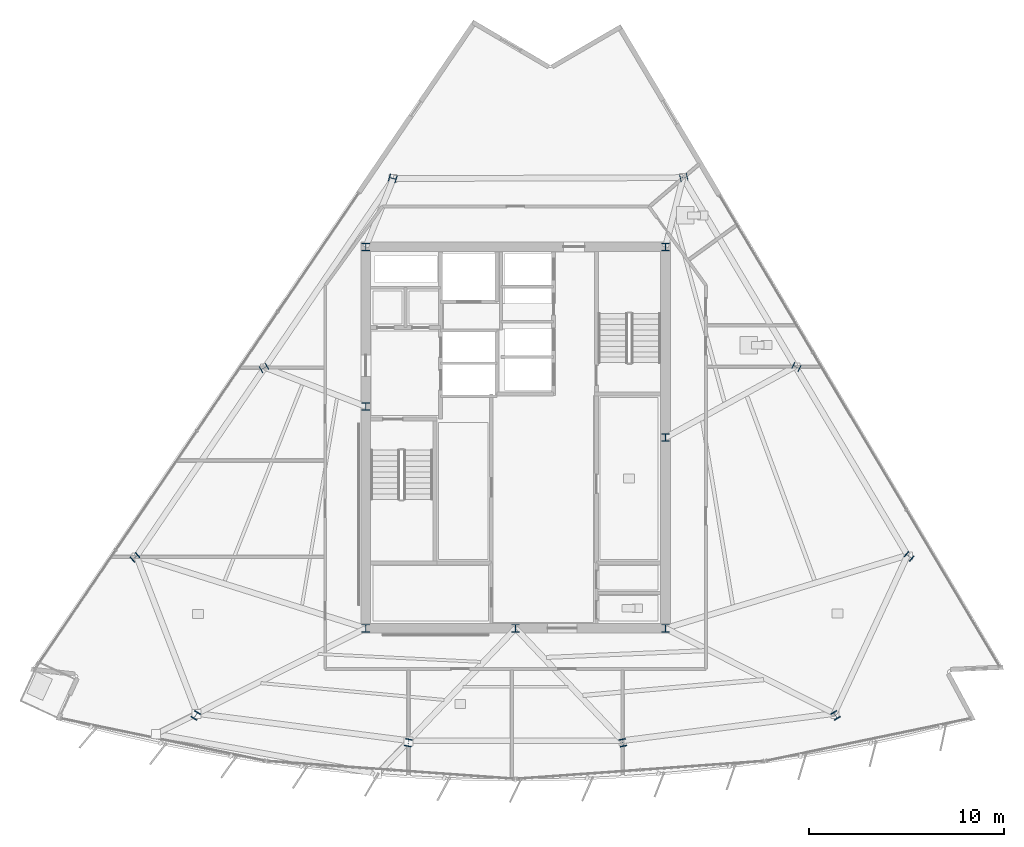
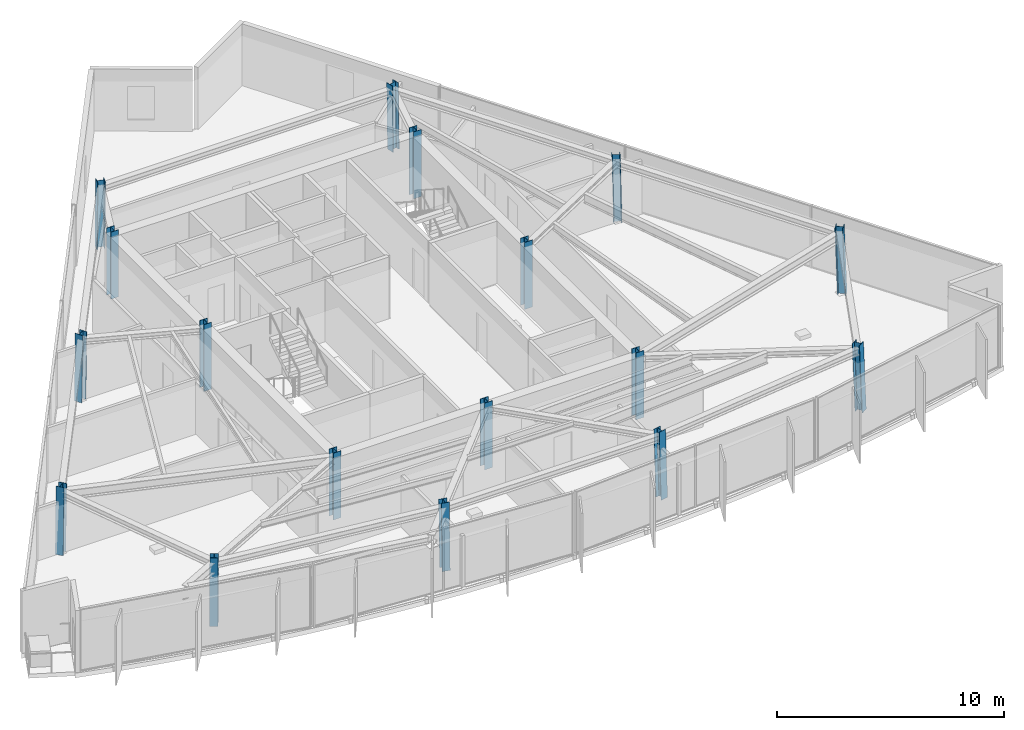
# One storey, part 1 of 13: 17 columns.
"""IFC4 building model written with IfcOpenShell, lengths in metres."""

from ifc_helpers import new_model, si_unit, direction, frame, origin, origin_2d, place, context, subcontext, project, spatial, i_section, extrude, material, material_profile, profile_set, type_object, element, save


model = new_model("IFC4")

# Units and contexts
model_context = context("Model", 3, precision=1e-05, world=origin(), true_north=direction((0.0, 1.0)))
body_context = subcontext(model_context, "Body", "Model", "MODEL_VIEW")
ifc_project = project(units=[si_unit("LENGTHUNIT", "METRE"), si_unit("AREAUNIT", "SQUARE_METRE"), si_unit("VOLUMEUNIT", "CUBIC_METRE"), si_unit("PLANEANGLEUNIT", "RADIAN"), si_unit("MASSUNIT", "GRAM", prefix="KILO")], contexts=[model_context])

# Site, building, storey
site_placement = place(None, origin())
site = spatial("IfcSite", under=ifc_project, at=site_placement, CompositionType="ELEMENT")
building_placement = place(site_placement, origin())
building = spatial("IfcBuilding", under=site, at=building_placement, Name="Savorim Split Tower", CompositionType="ELEMENT")
storey_placement = place(building_placement, frame((0.0, 0.0, 223.5)))
storey = spatial("IfcBuildingStorey", under=building, at=storey_placement, Name="L59", CompositionType="ELEMENT", Elevation=223.5)

# Columns
ifc_material = material(Name="Steel S355", Category="steel")
ifc_material_profile_1 = material_profile(ifc_material, i_section(OverallWidth=0.3740234375, OverallDepth=0.3720703125, WebThickness=0.01220703125, FlangeThickness=0.02001953125, FilletRadius=0.014892578125, at=origin_2d()), Name="HD 360x196")
ifc_profile_set_1 = profile_set([ifc_material_profile_1], Name="Steel S355")
column_type_1 = type_object("IfcColumnType", Name="COL-HD-196", PredefinedType="COLUMN", material=ifc_profile_set_1)
column_1_placement = place(storey_placement, frame((-16.447998046875, -13.894287109375, 0.005615234375), z_axis=(0.020664285442, 0.033443514597, 0.999226960524), x_axis=(-0.850707037426, 0.525640120686, 0.0)))
element("IfcColumn", 1, at=column_1_placement, inside=storey, type_object=column_type_1, Name="L59 Tapered Perimeter Column PC-S1", PredefinedType="COLUMN", context=body_context, shape_type="SweptSolid", body=[
    extrude(i_section(OverallWidth=0.3740234375, OverallDepth=0.3720703125, WebThickness=0.01220703125, FlangeThickness=0.02001953125, FilletRadius=0.014892578125, at=origin_2d()), origin(), (0.0, 0.0, 1.0), 3.591552734375),
])
for number, where, z_axis, x_axis, name in (
    (2, (-5.5126953125, -15.29833984375, 0.005615234375), (0.006934304776, 0.03521539092, 0.999355688261), (-0.981159154887, 0.193201223549, 0.0), "L59 Tapered Perimeter Column PC-S2"),
    (3, (5.5126953125, -15.29833984375, 0.005615234375), (-0.006934304776, 0.03521539092, 0.999355688261), (-0.981159154887, -0.193201223549, 0.0), "L59 Tapered Perimeter Column PC-S3"),
):
    element("IfcColumn", number, at=place(storey_placement, frame(where, z_axis=z_axis, x_axis=x_axis)), inside=storey, type_object=column_type_1, Name=name, PredefinedType="COLUMN", context=body_context, shape_type="SweptSolid", body=[
        extrude(i_section(OverallWidth=0.3740234375, OverallDepth=0.3720703125, WebThickness=0.01220703125, FlangeThickness=0.02001953125, FilletRadius=0.014892578125, at=origin_2d()), origin(), (0.0, 0.0, 1.0), 3.591064453125),
    ])
column_2_placement = place(storey_placement, frame((16.447998046875, -13.894287109375, 0.005615234375), z_axis=(-0.020664285442, 0.033443514597, 0.999226960524), x_axis=(-0.850707037426, -0.525640120686, 0.0)))
element("IfcColumn", 4, at=column_2_placement, inside=storey, type_object=column_type_1, Name="L59 Tapered Perimeter Column PC-S4", PredefinedType="COLUMN", context=body_context, shape_type="SweptSolid", body=[
    extrude(i_section(OverallWidth=0.3740234375, OverallDepth=0.3720703125, WebThickness=0.01220703125, FlangeThickness=0.02001953125, FilletRadius=0.014892578125, at=origin_2d()), origin(), (0.0, 0.0, 1.0), 3.591552734375),
])
column_3_placement = place(storey_placement, frame((20.231201171875, -5.718994140625, 0.005615234375), z_axis=(-0.026039494941, 0.021620259507, 0.999427090428), x_axis=(-0.638800249892, -0.769372628015, 0.0)))
element("IfcColumn", 5, at=column_3_placement, inside=storey, type_object=column_type_1, Name="L59 Tapered Perimeter Column PC-E1", PredefinedType="COLUMN", context=body_context, shape_type="SweptSolid", body=[
    extrude(i_section(OverallWidth=0.3740234375, OverallDepth=0.3720703125, WebThickness=0.01220703125, FlangeThickness=0.02001953125, FilletRadius=0.014892578125, at=origin_2d()), origin(), (0.0, 0.0, 1.0), 3.5908203125),
])
column_4_placement = place(storey_placement, frame((14.4384765625, 4.023193359375, 0.005615234375), z_axis=(-0.018907326549, 0.00952167524, 0.999775900241), x_axis=(-0.449781931574, -0.893138406984, 0.0)))
element("IfcColumn", 6, at=column_4_placement, inside=storey, type_object=column_type_1, Name="L59 Tapered Perimeter Column PC-E2", PredefinedType="COLUMN", context=body_context, shape_type="SweptSolid", body=[
    extrude(i_section(OverallWidth=0.3740234375, OverallDepth=0.3720703125, WebThickness=0.01220703125, FlangeThickness=0.02001953125, FilletRadius=0.014892578125, at=origin_2d()), origin(), (0.0, 0.0, 1.0), 3.589599609375),
])
for number, where, z_axis, x_axis, name in (
    (7, (8.645751953125, 13.76513671875, 0.005615234375), (-0.011767853257, -0.00258484638, 0.999927415465), (0.214538664031, -0.976715496773, 0.0), "L59 Tapered Perimeter Column PC-E3"),
    (8, (-6.3125, 13.71630859375, 0.005615234375), (0.008843162072, -0.002584924298, 0.999957557425), (0.280566991813, 0.959834445675, 0.0), "L59 Tapered Perimeter Column PC-W1"),
):
    element("IfcColumn", number, at=place(storey_placement, frame(where, z_axis=z_axis, x_axis=x_axis)), inside=storey, type_object=column_type_1, Name=name, PredefinedType="COLUMN", context=body_context, shape_type="SweptSolid", body=[
        extrude(i_section(OverallWidth=0.3740234375, OverallDepth=0.3720703125, WebThickness=0.01220703125, FlangeThickness=0.02001953125, FilletRadius=0.014892578125, at=origin_2d()), origin(), (0.0, 0.0, 1.0), 3.589111328125),
    ])
column_5_placement = place(storey_placement, frame((-12.939697265625, 3.974365234375, 0.005615234375), z_axis=(0.017003572908, 0.009522000828, 0.999810086971), x_axis=(-0.488603368932, 0.87250601595, 0.0)))
element("IfcColumn", 9, at=column_5_placement, inside=storey, type_object=column_type_1, Name="L59 Tapered Perimeter Column PC-W2", PredefinedType="COLUMN", context=body_context, shape_type="SweptSolid", body=[
    extrude(i_section(OverallWidth=0.3740234375, OverallDepth=0.3720703125, WebThickness=0.01220703125, FlangeThickness=0.02001953125, FilletRadius=0.014892578125, at=origin_2d()), origin(), (0.0, 0.0, 1.0), 3.589599609375),
])
column_6_placement = place(storey_placement, frame((-19.56689453125, -5.767822265625, 0.005615234375), z_axis=(0.025224163578, 0.021620711639, 0.999447990843), x_axis=(-0.650791373456, 0.759256602365, 0.0)))
element("IfcColumn", 10, at=column_6_placement, inside=storey, type_object=column_type_1, Name="L59 Tapered Perimeter Column PC-W3", PredefinedType="COLUMN", context=body_context, shape_type="SweptSolid", body=[
    extrude(i_section(OverallWidth=0.3740234375, OverallDepth=0.3720703125, WebThickness=0.01220703125, FlangeThickness=0.02001953125, FilletRadius=0.014892578125, at=origin_2d()), origin(), (0.0, 0.0, 1.0), 3.5908203125),
])
ifc_material_profile_2 = material_profile(ifc_material, i_section(OverallWidth=0.39794921875, OverallDepth=0.386962890625, WebThickness=0.013427734375, FlangeThickness=0.02197265625, FilletRadius=0.014892578125, at=origin_2d()), Name="HD 400x262")
ifc_profile_set_2 = profile_set([ifc_material_profile_2], Name="Steel S355")
column_type_2 = type_object("IfcColumnType", Name="COL-HD-262", PredefinedType="COLUMN", material=ifc_profile_set_2)
for number, where, z_axis, x_axis, name in (
    (11, (-7.699951171875, -9.39990234375, 0.0), (0.0, 0.0, 1.0), (1.0, 0.0, 0.0), "L59 Core Structural Column TC-C1"),
    (12, (7.699951171875, -9.39990234375, 0.0), (0.0, 0.0, 1.0), (1.0, 0.0, 0.0), "L59 Core Structural Column TC-C2"),
    (13, (7.699951171875, 10.199951171875, 0.0), (0.0, 0.0, 1.0), (1.0, 0.0, 0.0), "L59 Core Structural Column TC-C3"),
    (14, (-7.699951171875, 10.199951171875, 0.0), (0.0, 0.0, 1.0), (1.0, 0.0, 0.0), "L59 Core Structural Column TC-C4"),
    (15, (0.0, -9.39990234375, 0.0), (0.0, 0.0, 1.0), (1.0, 0.0, 0.0), "L59 Core Structural Column TC-C5"),
    (16, (7.699951171875, 0.39990234375, 0.0), (0.0, 0.0, 1.0), (1.0, 0.0, 0.0), "L59 Core Structural Column TC-C6"),
    (17, (-7.699951171875, 2.0, 0.0), (0.0, 0.0, 1.0), (1.0, 0.0, 0.0), "L59 Core Structural Column TC-C7"),
):
    element("IfcColumn", number, at=place(storey_placement, frame(where, z_axis=z_axis, x_axis=x_axis)), inside=storey, type_object=column_type_2, Name=name, PredefinedType="COLUMN", context=body_context, shape_type="SweptSolid", body=[
        extrude(i_section(OverallWidth=0.39794921875, OverallDepth=0.386962890625, WebThickness=0.013427734375, FlangeThickness=0.02197265625, FilletRadius=0.014892578125, at=origin_2d()), origin(), (0.0, 0.0, 1.0), 3.60009765625),
    ])

save(model, "model.ifc")
